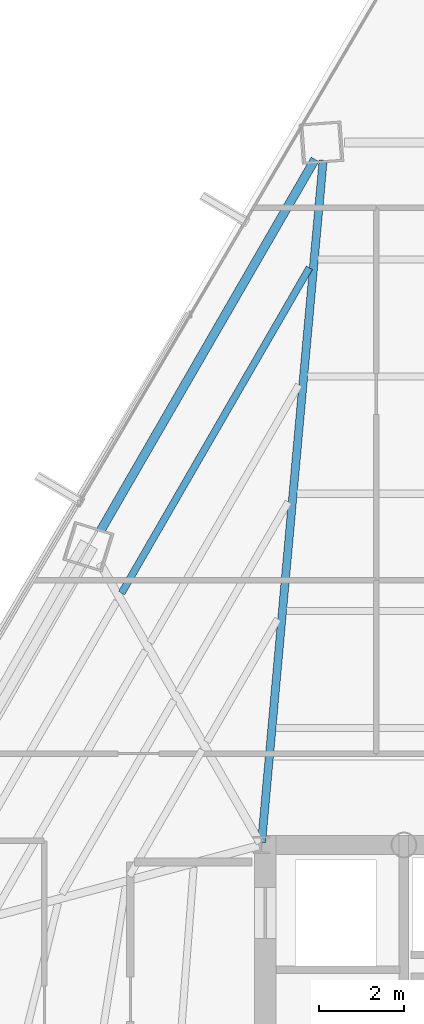
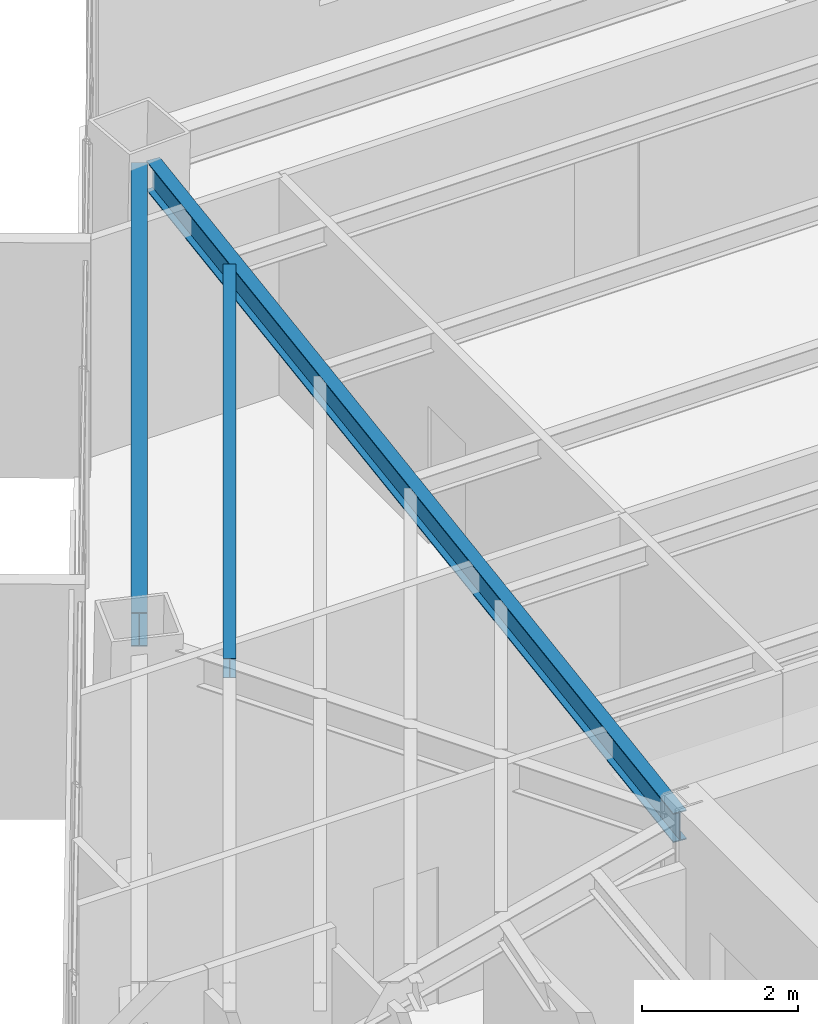
# One storey, part 27 of 41: 3 beams.
"""IFC4 building model written with IfcOpenShell, lengths in metres."""

from ifc_helpers import new_model, si_unit, direction, frame, origin, origin_2d, place, context, subcontext, project, spatial, i_section, extrude, source, transform, mapped, material, material_profile, profile_set, type_object, type_shapes, element, save


model = new_model("IFC4")

# Units and contexts
model_context = context("Model", 3, precision=1e-05, world=origin(), true_north=direction((0.0, 1.0)))
body_context = subcontext(model_context, "Body", "Model", "MODEL_VIEW")
ifc_project = project(units=[si_unit("LENGTHUNIT", "METRE"), si_unit("AREAUNIT", "SQUARE_METRE"), si_unit("VOLUMEUNIT", "CUBIC_METRE"), si_unit("PLANEANGLEUNIT", "RADIAN"), si_unit("MASSUNIT", "GRAM", prefix="KILO")], contexts=[model_context])

# Site, building, storey
site_placement = place(None, origin())
site = spatial("IfcSite", under=ifc_project, at=site_placement, CompositionType="ELEMENT")
building_placement = place(site_placement, origin())
building = spatial("IfcBuilding", under=site, at=building_placement, Name="Caelisora Broadcast Tower", CompositionType="ELEMENT")
storey_placement = place(building_placement, frame((0.0, 0.0, 162.14990234375)))
storey = spatial("IfcBuildingStorey", under=building, at=storey_placement, Name="L42", CompositionType="ELEMENT", Elevation=162.14990234375)

# Beams
ifc_material = material(Name="Steel Grade 350 (AS/NZS 3679.1)", Category="steel")
ifc_material_profile_1 = material_profile(ifc_material, i_section(OverallWidth=0.208984375, OverallDepth=0.532958984375, WebThickness=0.01025390625, FlangeThickness=0.015625, at=origin_2d()), Name="Steel Grade 350 (AS/NZS 3679.1)")
ifc_profile_set_1 = profile_set([ifc_material_profile_1], Name="Steel Grade 350 (AS/NZS 3679.1)")
beam_type_1 = type_object("IfcBeamType", Name="PG05", PredefinedType="BEAM", material=ifc_profile_set_1)
shared_shape_1 = source(origin(), body_context, "Body", "SweptSolid", [
    extrude(i_section(OverallWidth=0.208984375, OverallDepth=0.532958984375, WebThickness=0.01025390625, FlangeThickness=0.015625, at=origin_2d()), origin(), (0.0, 0.0, 1.0), 10.075439453125),
])
type_shapes(beam_type_1, [shared_shape_1])
beam_1_placement = place(storey_placement, frame((31.759765625, 46.11669921875, 3.133544921875), z_axis=(-0.500009111705, -0.866020143075, 0.0), x_axis=(0.866020143075, -0.500009111705, 0.0)))
element("IfcBeam", 1, at=beam_1_placement, inside=storey, type_object=beam_type_1, Name="L42 beam PG05", PredefinedType="BEAM", context=body_context, shape_type="MappedRepresentation", body=[
    mapped(shared_shape_1, transform((0.0, 0.0, 0.0), scale=1.0)),
])
ifc_material_profile_2 = material_profile(ifc_material, i_section(OverallWidth=0.19091796875, OverallDepth=0.46044921875, WebThickness=0.010009765625, FlangeThickness=0.01611328125, at=origin_2d()), Name="Steel Grade 350 (AS/NZS 3679.1)")
ifc_profile_set_2 = profile_set([ifc_material_profile_2], Name="Steel Grade 350 (AS/NZS 3679.1)")
beam_type_2 = type_object("IfcBeamType", Name="PG06", PredefinedType="BEAM", material=ifc_profile_set_2)
shared_shape_2 = source(origin(), body_context, "Body", "SweptSolid", [
    extrude(i_section(OverallWidth=0.19091796875, OverallDepth=0.46044921875, WebThickness=0.010009765625, FlangeThickness=0.01611328125, at=origin_2d()), origin(), (0.0, 0.0, 1.0), 16.102294921875),
])
type_shapes(beam_type_2, [shared_shape_2])
beam_2_placement = place(storey_placement, frame((30.50537109375, 30.059814453125, 3.169921875), z_axis=(0.089849461831, 0.995955357538, 0.0), x_axis=(-0.995955357538, 0.089849461831, 0.0)))
element("IfcBeam", 2, at=beam_2_placement, inside=storey, type_object=beam_type_2, Name="L42 beam PG06", PredefinedType="BEAM", context=body_context, shape_type="MappedRepresentation", body=[
    mapped(shared_shape_2, transform((0.0, 0.0, 0.0), scale=1.0)),
])
ifc_material_profile_3 = material_profile(ifc_material, i_section(OverallWidth=0.166015625, OverallDepth=0.30712890625, WebThickness=0.006591796875, FlangeThickness=0.01171875, at=origin_2d()), Name="Steel Grade 350 (AS/NZS 3679.1)")
ifc_profile_set_3 = profile_set([ifc_material_profile_3], Name="Steel Grade 350 (AS/NZS 3679.1)")
beam_type_3 = type_object("IfcBeamType", Name="SB03", PredefinedType="JOIST", material=ifc_profile_set_3)
shared_shape_3 = source(origin(), body_context, "Body", "SweptSolid", [
    extrude(i_section(OverallWidth=0.166015625, OverallDepth=0.30712890625, WebThickness=0.006591796875, FlangeThickness=0.01171875, at=origin_2d()), origin(), (0.0, 0.0, 1.0), 8.831298828125),
])
type_shapes(beam_type_3, [shared_shape_3])
beam_3_placement = place(storey_placement, frame((31.62939453125, 43.568359375, 3.24658203125), z_axis=(-0.500019188443, -0.866014325049, 0.0), x_axis=(0.866014325049, -0.500019188443, 0.0)))
element("IfcBeam", 3, at=beam_3_placement, inside=storey, type_object=beam_type_3, Name="L42 beam SB03", PredefinedType="JOIST", context=body_context, shape_type="MappedRepresentation", body=[
    mapped(shared_shape_3, transform((0.0, 0.0, 0.0), scale=1.0)),
])

save(model, "model.ifc")
